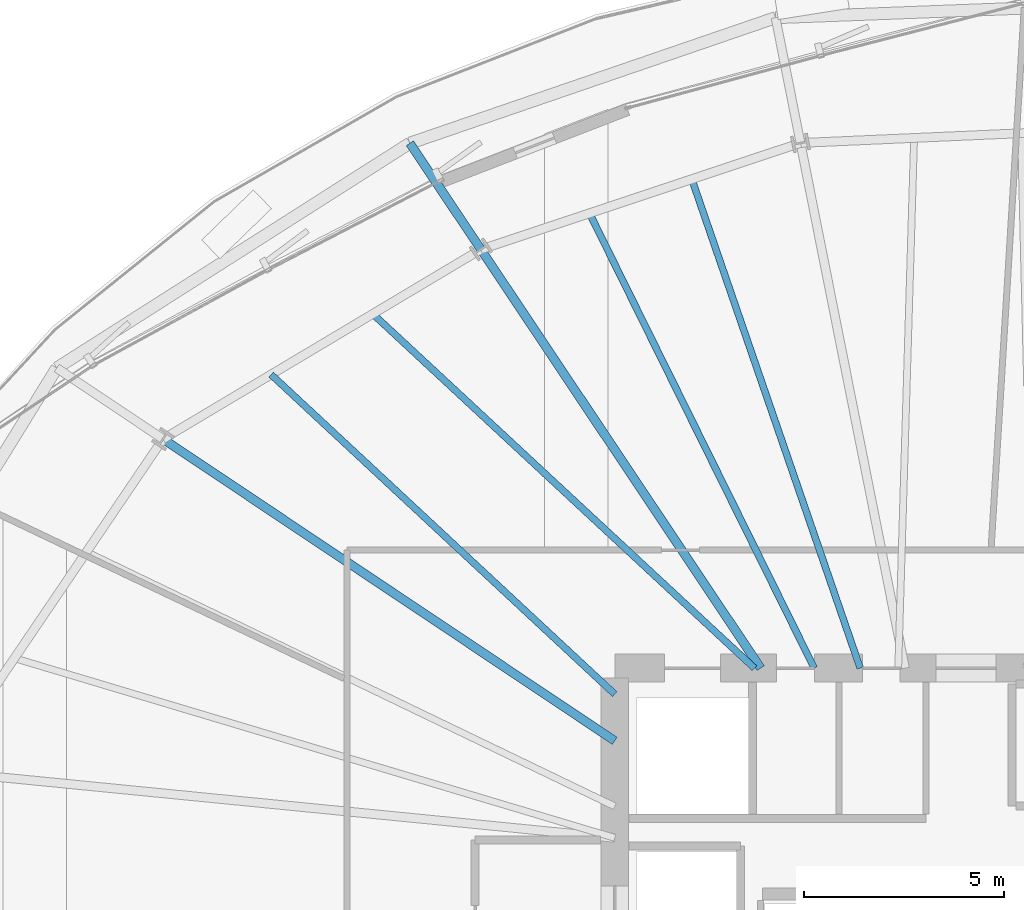
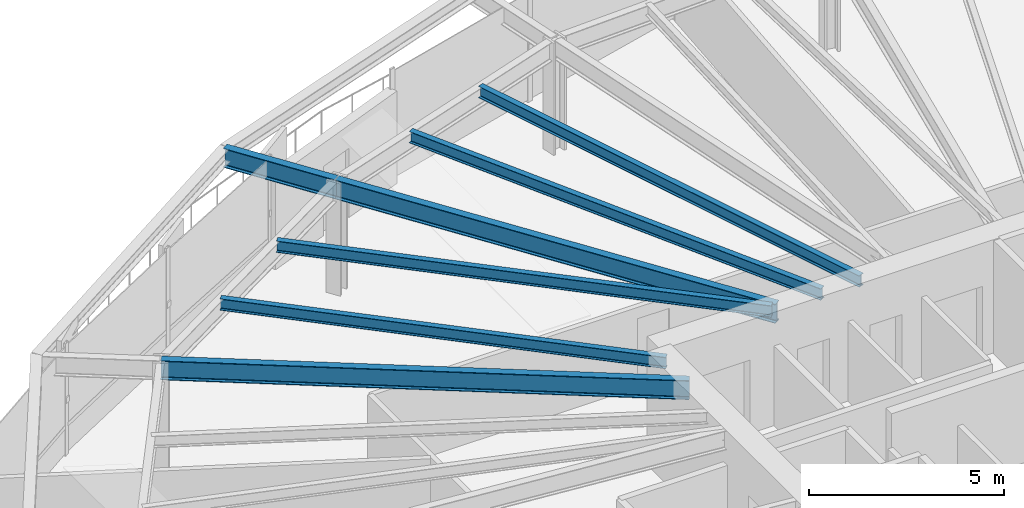
# One storey, part 20 of 38: 7 beams.
"""IFC4 building model written with IfcOpenShell, lengths in metres."""

from ifc_helpers import new_model, si_unit, direction, frame, origin, origin_2d, place, context, subcontext, project, spatial, i_section, extrude, source, transform, mapped, material, material_profile, profile_set, type_object, element, save


model = new_model("IFC4")

# Units and contexts
model_context = context("Model", 3, precision=1e-05, world=origin(), true_north=direction((0.0, 1.0)))
body_context = subcontext(model_context, "Body", "Model", "MODEL_VIEW")
ifc_project = project(units=[si_unit("LENGTHUNIT", "METRE"), si_unit("AREAUNIT", "SQUARE_METRE"), si_unit("VOLUMEUNIT", "CUBIC_METRE"), si_unit("PLANEANGLEUNIT", "RADIAN"), si_unit("MASSUNIT", "GRAM", prefix="KILO"), si_unit("THERMODYNAMICTEMPERATUREUNIT", "KELVIN")], contexts=[model_context])

# Site, building, storey
site_placement = place(None, origin())
site = spatial("IfcSite", under=ifc_project, at=site_placement, CompositionType="ELEMENT")
building_placement = place(site_placement, origin())
building = spatial("IfcBuilding", under=site, at=building_placement, Name="Kethvar Cultural Tower", CompositionType="ELEMENT")
storey_placement = place(building_placement, frame((0.0, 0.0, 67.60009765625)))
storey = spatial("IfcBuildingStorey", under=building, at=storey_placement, Name="L16", CompositionType="ELEMENT", Elevation=67.60009765625)

# Beams
ifc_material = material(Name="Steel S355J2", Category="steel")
ifc_material_profile_1 = material_profile(ifc_material, i_section(OverallWidth=0.219970703125, OverallDepth=0.60009765625, WebThickness=0.011962890625, FlangeThickness=0.01904296875, FilletRadius=0.02392578125, at=origin_2d()), Name="Steel S355J2 — IPE600")
ifc_profile_set_1 = profile_set([ifc_material_profile_1], Name="Steel S355J2 — IPE600")
beam_type_1 = type_object("IfcBeamType", Name="BM-IPE600", PredefinedType="BEAM", material=ifc_profile_set_1)
shared_shape_1 = source(origin(), body_context, "Body", "SweptSolid", [
    extrude(i_section(OverallWidth=0.219970703125, OverallDepth=0.60009765625, WebThickness=0.011962890625, FlangeThickness=0.01904296875, FilletRadius=0.02392578125, at=origin_2d()), origin(), (0.0, 0.0, 1.0), 3.199951171875),
])
beam_1_placement = place(storey_placement, frame((34.64599609375, 45.98974609375, 3.247802734375), z_axis=(-0.555580212716, 0.831462943996, 0.0), x_axis=(-0.831462943996, -0.555580212716, 0.0)))
element("IfcBeam", 1, at=beam_1_placement, inside=storey, type_object=beam_type_1, Name="L16 Perimeter Cantilever Beam RC-06", PredefinedType="BEAM", context=body_context, shape_type="MappedRepresentation", body=[
    mapped(shared_shape_1, transform((0.0, 0.0, 0.0), scale=1.0)),
])
shared_shape_2 = source(origin(), body_context, "Body", "SweptSolid", [
    extrude(i_section(OverallWidth=0.219970703125, OverallDepth=0.60009765625, WebThickness=0.011962890625, FlangeThickness=0.01904296875, FilletRadius=0.02392578125, at=origin_2d()), origin(), (0.0, 0.0, 1.0), 12.615966796875),
])
beam_2_placement = place(storey_placement, frame((41.655029296875, 35.5, 3.247802734375), z_axis=(-0.555570723257, 0.831469284736, 0.0), x_axis=(-0.831469284736, -0.555570723257, 0.0)))
element("IfcBeam", 2, at=beam_2_placement, inside=storey, type_object=beam_type_1, Name="L16 Primary Radial Beam RB-06", PredefinedType="BEAM", context=body_context, shape_type="MappedRepresentation", body=[
    mapped(shared_shape_2, transform((0.0, 0.0, 0.0), scale=1.0)),
])
shared_shape_3 = source(origin(), body_context, "Body", "SweptSolid", [
    extrude(i_section(OverallWidth=0.219970703125, OverallDepth=0.60009765625, WebThickness=0.011962890625, FlangeThickness=0.01904296875, FilletRadius=0.02392578125, at=origin_2d()), origin(), (0.0, 0.0, 1.0), 13.60888671875),
])
beam_3_placement = place(storey_placement, frame((38.0, 33.679931640625, 3.247802734375), z_axis=(-0.831467486755, 0.555573414113, 0.0), x_axis=(-0.555573414113, -0.831467486755, 0.0)))
element("IfcBeam", 3, at=beam_3_placement, inside=storey, type_object=beam_type_1, Name="L16 Primary Radial Beam RB-07", PredefinedType="BEAM", context=body_context, shape_type="MappedRepresentation", body=[
    mapped(shared_shape_3, transform((0.0, 0.0, 0.0), scale=1.0)),
])
ifc_material_profile_2 = material_profile(ifc_material, i_section(OverallWidth=0.169921875, OverallDepth=0.360107421875, WebThickness=0.008056640625, FlangeThickness=0.0126953125, FilletRadius=0.01806640625, at=origin_2d()), Name="Steel S355J2 — IPE360")
ifc_profile_set_2 = profile_set([ifc_material_profile_2], Name="Steel S355J2 — IPE360")
beam_type_2 = type_object("IfcBeamType", Name="BM-J360", PredefinedType="JOIST", material=ifc_profile_set_2)
shared_shape_4 = source(origin(), body_context, "Body", "SweptSolid", [
    extrude(i_section(OverallWidth=0.169921875, OverallDepth=0.360107421875, WebThickness=0.008056640625, FlangeThickness=0.0126953125, FilletRadius=0.01806640625, at=origin_2d()), origin(), (0.0, 0.0, 1.0), 12.955322265625),
])
beam_4_placement = place(storey_placement, frame((44.148193359375, 35.5, 3.367919921875), z_axis=(-0.325619549533, 0.945500877293, 0.0), x_axis=(-0.945500877293, -0.325619549533, 0.0)))
element("IfcBeam", 4, at=beam_4_placement, inside=storey, type_object=beam_type_2, Name="L16 Composite Floor Joist J-05A", PredefinedType="JOIST", context=body_context, shape_type="MappedRepresentation", body=[
    mapped(shared_shape_4, transform((0.0, 0.0, 0.0), scale=1.0)),
])
shared_shape_5 = source(origin(), body_context, "Body", "SweptSolid", [
    extrude(i_section(OverallWidth=0.169921875, OverallDepth=0.360107421875, WebThickness=0.008056640625, FlangeThickness=0.0126953125, FilletRadius=0.01806640625, at=origin_2d()), origin(), (0.0, 0.0, 1.0), 12.710693359375),
])
beam_5_placement = place(storey_placement, frame((42.996826171875, 35.5, 3.367919921875), z_axis=(-0.442851992051, 0.896594731825, 0.0), x_axis=(-0.896594731825, -0.442851992051, 0.0)))
element("IfcBeam", 5, at=beam_5_placement, inside=storey, type_object=beam_type_2, Name="L16 Composite Floor Joist J-05B", PredefinedType="JOIST", context=body_context, shape_type="MappedRepresentation", body=[
    mapped(shared_shape_5, transform((0.0, 0.0, 0.0), scale=1.0)),
])
shared_shape_6 = source(origin(), body_context, "Body", "SweptSolid", [
    extrude(i_section(OverallWidth=0.169921875, OverallDepth=0.360107421875, WebThickness=0.008056640625, FlangeThickness=0.0126953125, FilletRadius=0.01806640625, at=origin_2d()), origin(), (0.0, 0.0, 1.0), 13.045166015625),
])
beam_6_placement = place(storey_placement, frame((41.5, 35.5, 3.367919921875), z_axis=(-0.732903465528, 0.680332646737, 0.0), x_axis=(-0.680332646737, -0.732903465528, 0.0)))
element("IfcBeam", 6, at=beam_6_placement, inside=storey, type_object=beam_type_2, Name="L16 Composite Floor Joist J-06A", PredefinedType="JOIST", context=body_context, shape_type="MappedRepresentation", body=[
    mapped(shared_shape_6, transform((0.0, 0.0, 0.0), scale=1.0)),
])
shared_shape_7 = source(origin(), body_context, "Body", "SweptSolid", [
    extrude(i_section(OverallWidth=0.169921875, OverallDepth=0.360107421875, WebThickness=0.008056640625, FlangeThickness=0.0126953125, FilletRadius=0.01806640625, at=origin_2d()), origin(), (0.0, 0.0, 1.0), 11.75537109375),
])
beam_7_placement = place(storey_placement, frame((38.0, 34.85009765625, 3.367919921875), z_axis=(-0.732290300234, 0.680992596276, 0.0), x_axis=(-0.680992596276, -0.732290300234, 0.0)))
element("IfcBeam", 7, at=beam_7_placement, inside=storey, type_object=beam_type_2, Name="L16 Composite Floor Joist J-06B", PredefinedType="JOIST", context=body_context, shape_type="MappedRepresentation", body=[
    mapped(shared_shape_7, transform((0.0, 0.0, 0.0), scale=1.0)),
])

save(model, "model.ifc")
